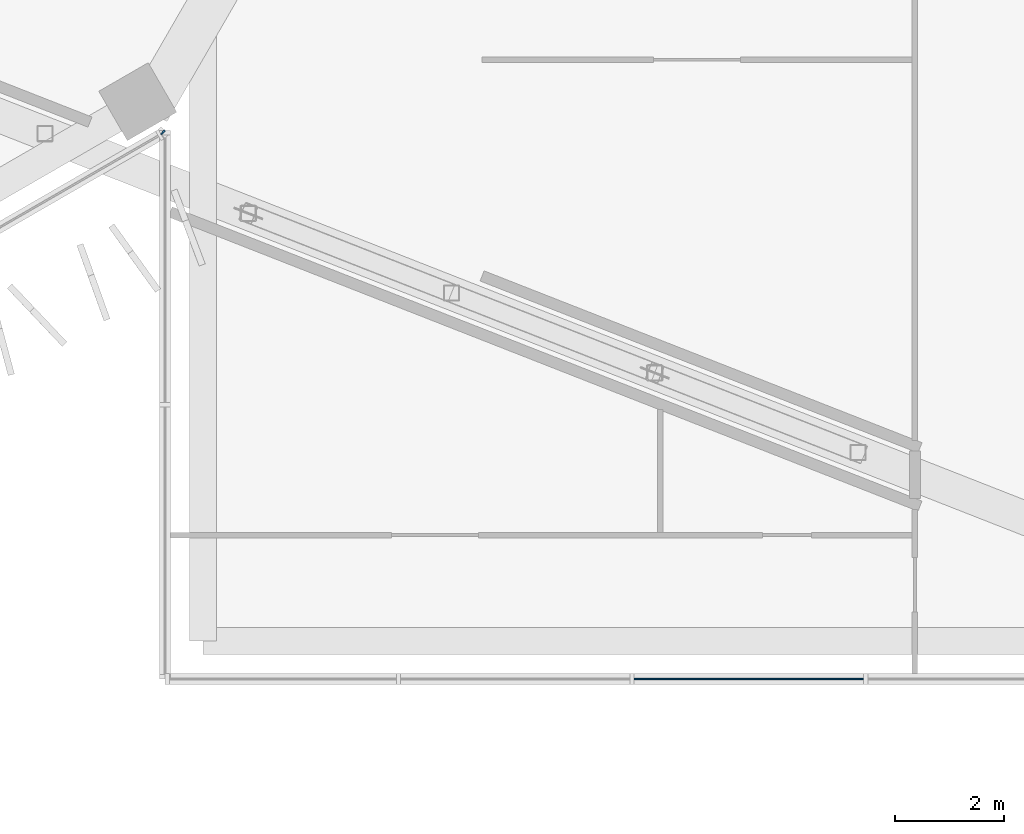
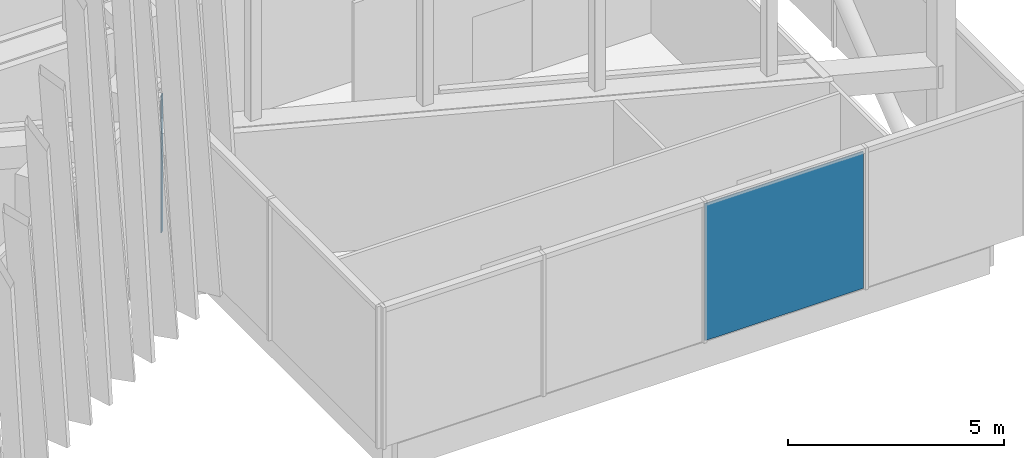
# One storey, part 15 of 28: 2 plates, 2 elements without a shape of their own.
"""IFC4 building model written with IfcOpenShell, lengths in metres."""

import ifcopenshell
import ifcopenshell.guid

model = None  # the IFC model being written
_history = None  # IfcOwnerHistory: only IFC2X3 demands one
_inside = {}  # id of a spatial element -> (the spatial element, [elements in it])
_under = {}  # id of a project, library or spatial element -> (it, [spatial elements below it])
_declared = {}  # id of a project -> (the project, [libraries it declares])
_typed = {}  # id of a type object -> (the type object, [elements of that type])
_made_of = {}  # id of a material, layer set ... -> (it, [elements and type objects made of it])


def new_model(schema):
    """Start an empty IFC model of exactly this schema.

    Asked for "IFC4X3", IfcOpenShell would pick the latest addendum, in which some entities
    have other attributes; the version numbers below select the first issue.
    IFC2X3 requires an IfcOwnerHistory on every rooted entity: one is made here for all.
    """
    global model, _history
    if schema == "IFC4X3":
        model = ifcopenshell.file(schema_version=(4, 3, 0, 0))
    else:
        model = ifcopenshell.file(schema=schema)
    _inside.clear()
    _under.clear()
    _declared.clear()
    _typed.clear()
    _made_of.clear()
    _history = None
    if model.schema == "IFC2X3":
        org = make("IfcOrganization", Name="unknown")
        user = make(
            "IfcPersonAndOrganization",
            ThePerson=make("IfcPerson", FamilyName="unknown"),
            TheOrganization=org,
        )
        app = make(
            "IfcApplication",
            ApplicationDeveloper=org,
            Version="unknown",
            ApplicationFullName="unknown",
            ApplicationIdentifier="unknown",
        )
        _history = make(
            "IfcOwnerHistory",
            OwningUser=user,
            OwningApplication=app,
            ChangeAction="ADDED",
            CreationDate=0,
        )
    return model


def make(cls, **values):
    """One entity of the class cls with the attributes given. An attribute that is None is left unset."""
    return model.create_entity(
        cls, **{name: value for name, value in values.items() if value is not None}
    )


def rooted(cls, **values):
    """An entity with a GlobalId (a new one), such as an element, a storey or a relation."""
    return make(cls, GlobalId=ifcopenshell.guid.new(), OwnerHistory=_history, **values)


def si_unit(unit_type, name, prefix=None):
    """IfcSIUnit, for example si_unit("LENGTHUNIT", "METRE", prefix="MILLI")."""
    return make("IfcSIUnit", UnitType=unit_type, Prefix=prefix, Name=name)


def assignment(units):
    """IfcUnitAssignment: the units of a project."""
    return None if units is None else make("IfcUnitAssignment", Units=units)


def point(xyz):
    """IfcCartesianPoint."""
    return None if xyz is None else make("IfcCartesianPoint", Coordinates=xyz)


def direction(xyz):
    """IfcDirection."""
    return None if xyz is None else make("IfcDirection", DirectionRatios=xyz)


def frame(location, z_axis=None, x_axis=None):
    """IfcAxis2Placement3D, a coordinate frame: its origin and axes. An axis left out is left unset."""
    return make(
        "IfcAxis2Placement3D",
        Location=point(location),
        Axis=direction(z_axis),
        RefDirection=direction(x_axis),
    )


def frame_2d(location, x_axis=None):
    """IfcAxis2Placement2D, a coordinate frame in the plane: its origin and x axis."""
    return make(
        "IfcAxis2Placement2D", Location=point(location), RefDirection=direction(x_axis)
    )


def origin():
    """The frame at (0, 0, 0) with its axes left unset."""
    return frame((0.0, 0.0, 0.0))


def origin_2d():
    """The frame at (0, 0) in the plane with its x axis left unset."""
    return frame_2d((0.0, 0.0))


def place(relative_to, where):
    """IfcLocalPlacement: puts the frame where relative to a parent placement (None: the world)."""
    return make(
        "IfcLocalPlacement", PlacementRelTo=relative_to, RelativePlacement=where
    )


def context(
    kind, dimensions, precision=None, world=None, true_north=None, identifier=None
):
    """IfcGeometricRepresentationContext, for example the 3D "Model" context."""
    return make(
        "IfcGeometricRepresentationContext",
        ContextIdentifier=identifier,
        ContextType=kind,
        CoordinateSpaceDimension=dimensions,
        Precision=precision,
        WorldCoordinateSystem=world,
        TrueNorth=true_north,
    )


def subcontext(parent, identifier, kind, view, scale=None):
    """IfcGeometricRepresentationSubContext, for example "Body" below "Model"."""
    return make(
        "IfcGeometricRepresentationSubContext",
        ContextIdentifier=identifier,
        ContextType=kind,
        ParentContext=parent,
        TargetScale=scale,
        TargetView=view,
    )


def project(units=None, contexts=None):
    """IfcProject with its units and contexts."""
    return rooted(
        "IfcProject",
        Name="project",
        RepresentationContexts=contexts,
        UnitsInContext=assignment(units),
    )


def spatial(cls, under=None, at=None, **own):
    """A site, building, storey or space (cls), placed at a placement, below another one or the project."""
    s = rooted(cls, ObjectPlacement=at, **own)
    if under is not None:
        _under.setdefault(under.id(), (under, []))[1].append(s)
    return s


def profile(cls, at=None, kind="AREA", **sizes):
    """A parametric profile (cls). Its sizes go by their IFC names, for example OverallWidth=200.0."""
    return make(cls, ProfileType=kind, Position=at, **sizes)


def rectangle(**sizes):
    """IfcRectangleProfileDef."""
    return profile("IfcRectangleProfileDef", **sizes)


def extrude(swept, where, along, depth):
    """IfcExtrudedAreaSolid: the profile swept, set in the frame where, extruded along a direction by depth."""
    return make(
        "IfcExtrudedAreaSolid",
        SweptArea=swept,
        Position=where,
        ExtrudedDirection=direction(along),
        Depth=depth,
    )


def shape(context_of_items, identifier, shape_type, items):
    """IfcShapeRepresentation: the items that make up one representation, for example the "Body"."""
    return make(
        "IfcShapeRepresentation",
        ContextOfItems=context_of_items,
        RepresentationIdentifier=identifier,
        RepresentationType=shape_type,
        Items=items,
    )


def material(Name=None, Category=None):
    """IfcMaterial."""
    return make("IfcMaterial", Name=Name, Category=Category)


def layer(
    of_material, thickness, ventilated=None, Name=None, Category=None, Priority=None
):
    """IfcMaterialLayer: one layer of a wall or slab, of a material (None: an air gap)."""
    return make(
        "IfcMaterialLayer",
        Material=of_material,
        LayerThickness=thickness,
        IsVentilated=ventilated,
        Name=Name,
        Category=Category,
        Priority=Priority,
    )


def layer_set(layers, Name=None):
    """IfcMaterialLayerSet."""
    return make("IfcMaterialLayerSet", MaterialLayers=layers, LayerSetName=Name)


def made_of(thing, what):
    """Note that an element or type object is made of a material, layer set ...; save() writes the relation."""
    if what is not None:
        _made_of.setdefault(what.id(), (what, []))[1].append(thing)
    return thing


def type_object(cls, material=None, **own):
    """A type object (cls), such as IfcWallType, which elements share."""
    return made_of(rooted(cls, **own), material)


def element(
    cls,
    number,
    at=None,
    inside=None,
    cuts=None,
    type_object=None,
    material=None,
    context=None,
    identifier="Body",
    shape_type=None,
    held_by="IfcProductDefinitionShape",
    body=None,
    shapes=None,
    **own,
):
    """One element of the class cls, such as IfcWall. Its Tag is "e" and its number.

    at: its placement. inside: the storey or other place that contains it. cuts: it is an
    opening in that element (IfcRelVoidsElement). A single representation is given by context,
    identifier, shape_type and body (its items); several are given by shapes. held_by: the class
    of the entity that holds the representations. save() writes the other relations.
    """
    e = rooted(cls, Tag="e%d" % number, ObjectPlacement=at, **own)
    if body is not None:
        shapes = [shape(context, identifier, shape_type, body)]
    if shapes is not None:
        e.Representation = make(held_by, Representations=shapes)
    if inside is not None:
        _inside.setdefault(inside.id(), (inside, []))[1].append(e)
    if cuts is not None:
        rooted(
            "IfcRelVoidsElement", RelatingBuildingElement=cuts, RelatedOpeningElement=e
        )
    if type_object is not None:
        _typed.setdefault(type_object.id(), (type_object, []))[1].append(e)
    return made_of(e, material)


def aggregate(whole, parts):
    """IfcRelAggregates: a whole, such as a stair, and the parts it consists of."""
    return rooted("IfcRelAggregates", RelatingObject=whole, RelatedObjects=parts)


def save(model, path):
    """Write the relations noted so far, then the file.

    IfcRelAggregates (storeys below a building ...), IfcRelContainedInSpatialStructure (elements
    in a storey), IfcRelDefinesByType, IfcRelAssociatesMaterial and IfcRelDeclares: one each for
    every whole, place, type object, material and project.
    """
    for whole, parts in _under.values():
        aggregate(whole, parts)
    for where, things in _inside.values():
        rooted(
            "IfcRelContainedInSpatialStructure",
            RelatedElements=things,
            RelatingStructure=where,
        )
    for kind, things in _typed.values():
        rooted("IfcRelDefinesByType", RelatedObjects=things, RelatingType=kind)
    for what, things in _made_of.values():
        rooted("IfcRelAssociatesMaterial", RelatedObjects=things, RelatingMaterial=what)
    for by, libraries in _declared.values():
        rooted("IfcRelDeclares", RelatingContext=by, RelatedDefinitions=libraries)
    model.write(path)


model = new_model("IFC4")

# Units and contexts
model_context = context("Model", 3, precision=1e-05, world=origin(), true_north=direction((0.0, 1.0)))
body_context = subcontext(model_context, "Body", "Model", "MODEL_VIEW")
ifc_project = project(units=[si_unit("LENGTHUNIT", "METRE"), si_unit("AREAUNIT", "SQUARE_METRE"), si_unit("VOLUMEUNIT", "CUBIC_METRE"), si_unit("PLANEANGLEUNIT", "RADIAN"), si_unit("MASSUNIT", "GRAM", prefix="KILO")], contexts=[model_context])

# Site, building, storey
site_placement = place(None, origin())
site = spatial("IfcSite", under=ifc_project, at=site_placement, CompositionType="ELEMENT")
building_placement = place(site_placement, origin())
building = spatial("IfcBuilding", under=site, at=building_placement, Name="Ayvan Gate Tower", CompositionType="ELEMENT")
storey_placement = place(building_placement, frame((0.0, 0.0, 120.5)))
storey = spatial("IfcBuildingStorey", under=building, at=storey_placement, Name="L32", CompositionType="ELEMENT", Elevation=120.5)

# Curtain wall, plate
ifc_material_1 = material(Name="Bronze anodised aluminium", Category="aluminium")
ifc_layer_1 = layer(ifc_material_1, 0.199951171875)
ifc_layer_set_1 = layer_set([ifc_layer_1], Name="Bronze anodised aluminium")
curtain_wall_type_1 = type_object("IfcCurtainWallType", Name="Stick curtain wall CW-4", PredefinedType="NOTDEFINED", material=ifc_layer_set_1)
curtain_wall_1_placement = place(storey_placement, origin())
curtain_wall_1 = element("IfcCurtainWall", 1, at=curtain_wall_1_placement, inside=storey, type_object=curtain_wall_type_1, Name="Stick curtain wall CW-4 L32", PredefinedType="NOTDEFINED")
ifc_material_2 = material(Name="Pale anodised aluminium composite panel", Category="aluminium")
ifc_layer_2 = layer(ifc_material_2, 0.028076171875)
ifc_layer_set_2 = layer_set([ifc_layer_2], Name="Pale anodised aluminium composite panel")
plate_type_1 = type_object("IfcPlateType", Name="Stick curtain wall CW-4 solid panel", PredefinedType="CURTAIN_PANEL", material=ifc_layer_set_2)
plate_1_placement = place(storey_placement, frame((29.235595703125, -21.949951171875, 0.0), z_axis=(0.0, 0.0, 1.0), x_axis=(1.0, 0.0, 0.0)))
plate_1 = element("IfcPlate", 2, at=plate_1_placement, type_object=plate_type_1, Name="CW-4 solid panel 3", PredefinedType="CURTAIN_PANEL", context=body_context, shape_type="SweptSolid", body=[
    extrude(rectangle(XDim=4.219970703125, YDim=0.028076171875, at=origin_2d()), origin(), (0.0, 0.0, 1.0), 3.860107421875),
])
aggregate(curtain_wall_1, [plate_1])

ifc_layer_3 = layer(ifc_material_1, 0.199951171875)
ifc_layer_set_3 = layer_set([ifc_layer_3], Name="Bronze anodised aluminium")
curtain_wall_type_2 = type_object("IfcCurtainWallType", Name="Stick curtain wall CW-6", PredefinedType="NOTDEFINED", material=ifc_layer_set_3)
curtain_wall_2_placement = place(storey_placement, origin())
curtain_wall_2 = element("IfcCurtainWall", 3, at=curtain_wall_2_placement, inside=storey, type_object=curtain_wall_type_2, Name="Stick curtain wall CW-6 L32", PredefinedType="NOTDEFINED")
ifc_material_3 = material(Name="Clear low-iron laminated glass", Category="glass")
ifc_layer_4 = layer(ifc_material_3, 0.028076171875)
ifc_layer_set_4 = layer_set([ifc_layer_4], Name="Clear low-iron laminated glass")
plate_type_2 = type_object("IfcPlateType", Name="Stick curtain wall CW-6 glass panel", PredefinedType="CURTAIN_PANEL", material=ifc_layer_set_4)
plate_2_placement = place(storey_placement, frame((18.450439453125, -11.88720703125, 0.0), z_axis=(0.0, 0.0, 1.0), x_axis=(0.707106781187, 0.707106781187, 0.0)))
plate_2 = element("IfcPlate", 4, at=plate_2_placement, type_object=plate_type_2, Name="CW-6 glass panel 1", PredefinedType="CURTAIN_PANEL", context=body_context, shape_type="SweptSolid", body=[
    extrude(rectangle(XDim=0.099365234375, YDim=0.028076171875, at=origin_2d()), origin(), (0.0, 0.0, 1.0), 3.8798828125),
])
aggregate(curtain_wall_2, [plate_2])

save(model, "model.ifc")
